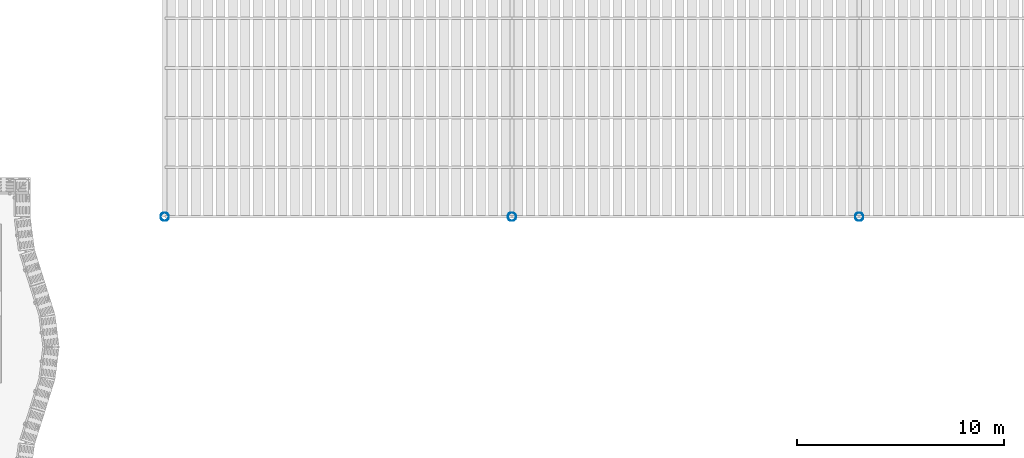
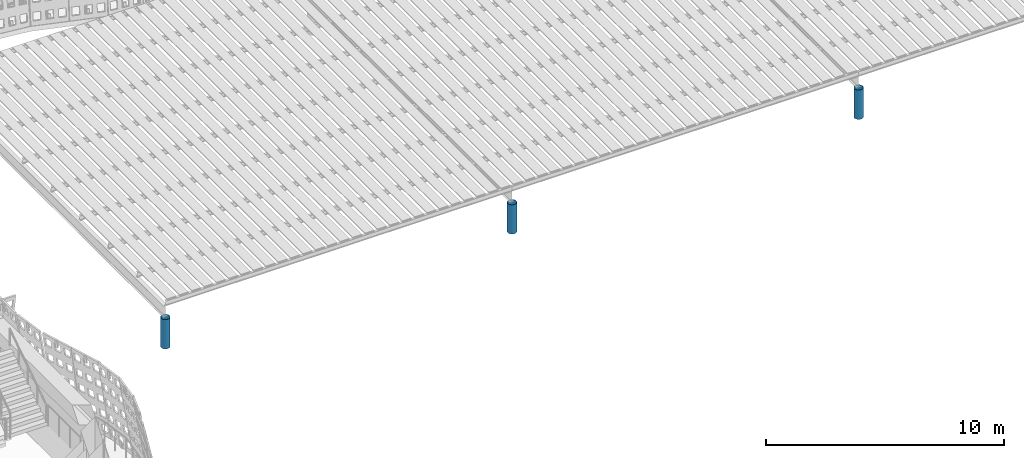
# One storey, part 2 of 162: 3 columns.
"""IFC4 building model written with IfcOpenShell, lengths in metres."""

from ifc_helpers import new_model, si_unit, direction, frame, origin, origin_2d, place, context, subcontext, project, spatial, hollow_circle, extrude, material, material_profile, profile_set, type_object, element, save


model = new_model("IFC4")

# Units and contexts
model_context = context("Model", 3, precision=1e-05, world=origin(), true_north=direction((0.0, 1.0)))
body_context = subcontext(model_context, "Body", "Model", "MODEL_VIEW")
ifc_project = project(units=[si_unit("LENGTHUNIT", "METRE"), si_unit("AREAUNIT", "SQUARE_METRE"), si_unit("VOLUMEUNIT", "CUBIC_METRE"), si_unit("PLANEANGLEUNIT", "RADIAN"), si_unit("MASSUNIT", "GRAM", prefix="KILO")], contexts=[model_context])

# Site, building, storey
site_placement = place(None, origin())
site = spatial("IfcSite", under=ifc_project, at=site_placement, CompositionType="ELEMENT")
building_placement = place(site_placement, origin())
building = spatial("IfcBuilding", under=site, at=building_placement, Name="Rain Tree Exposition and Congress Centre", CompositionType="ELEMENT")
storey_placement = place(building_placement, frame((0.0, 0.0, 6.0)))
storey = spatial("IfcBuildingStorey", under=building, at=storey_placement, Name="L01", CompositionType="ELEMENT", Elevation=6.0)

# Columns
ifc_material = material(Name="Steel S355J2H", Category="steel")
ifc_material_profile = material_profile(ifc_material, hollow_circle(Radius=0.203125, WallThickness=0.009033203125, at=origin_2d()), Name="CHS 406.4x9")
ifc_profile_set = profile_set([ifc_material_profile], Name="Steel S355J2H")
column_type = type_object("IfcColumnType", Name="Steel column CHS 406.4x9", PredefinedType="COLUMN", material=ifc_profile_set)
for number, where, z_axis, x_axis, name in (
    (1, (58.800048828125, 50.39990234375, 0.0), (0.0, 0.0, 1.0), (1.0, 0.0, 0.0), "Rain tree column 1"),
    (2, (75.60009765625, 50.39990234375, 0.0), (0.0, 0.0, 1.0), (1.0, 0.0, 0.0), "Rain tree column 3"),
    (3, (92.39990234375, 50.39990234375, 0.0), (0.0, 0.0, 1.0), (1.0, 0.0, 0.0), "Rain tree column 5"),
):
    element("IfcColumn", number, at=place(storey_placement, frame(where, z_axis=z_axis, x_axis=x_axis)), inside=storey, type_object=column_type, Name=name, PredefinedType="COLUMN", context=body_context, shape_type="SweptSolid", body=[
        extrude(hollow_circle(Radius=0.203125, WallThickness=0.009033203125, at=origin_2d()), origin(), (0.0, 0.0, 1.0), 1.5),
    ])

save(model, "model.ifc")
